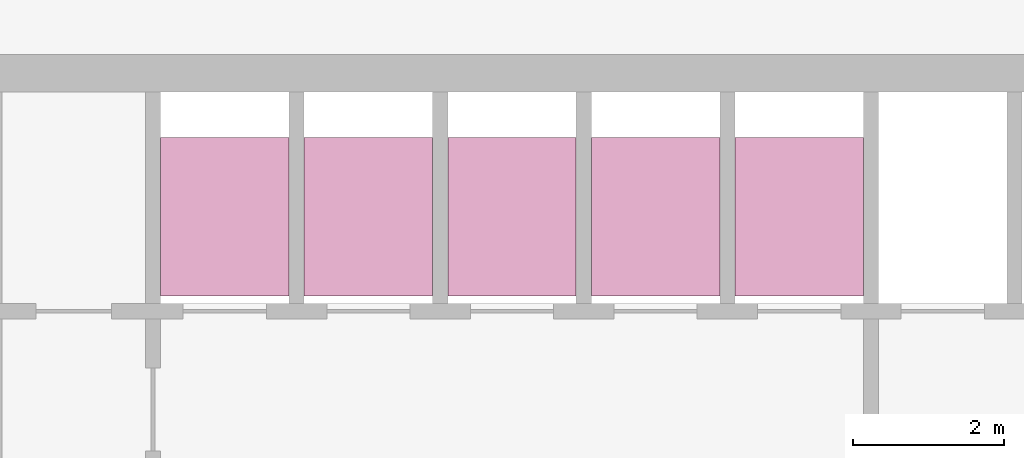
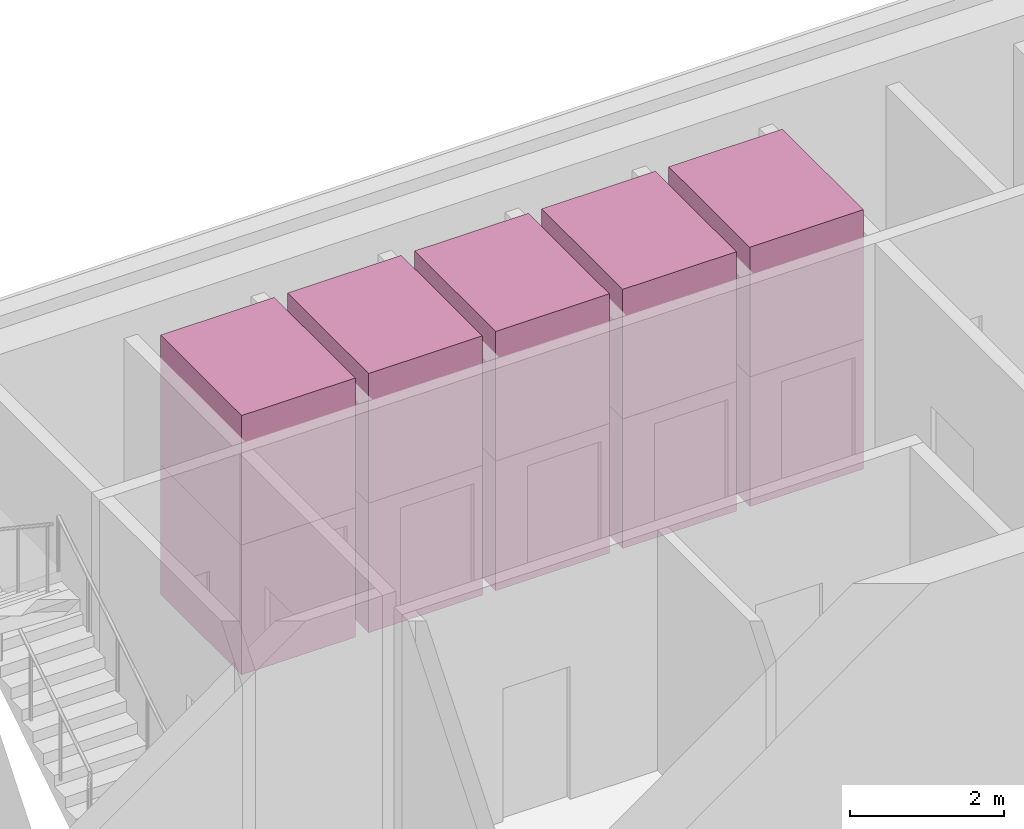
# One storey, part 9 of 9: 10 transport elements.
"""IFC4 building model written with IfcOpenShell, lengths in metres."""

from ifc_helpers import new_model, si_unit, direction, frame, origin, origin_2d, place, context, subcontext, project, spatial, rectangle, extrude, material, type_object, element, save


model = new_model("IFC4")

# Units and contexts
model_context = context("Model", 3, precision=1e-05, world=origin(), true_north=direction((0.0, 1.0)))
body_context = subcontext(model_context, "Body", "Model", "MODEL_VIEW")
ifc_project = project(units=[si_unit("LENGTHUNIT", "METRE"), si_unit("AREAUNIT", "SQUARE_METRE"), si_unit("VOLUMEUNIT", "CUBIC_METRE"), si_unit("PLANEANGLEUNIT", "RADIAN"), si_unit("MASSUNIT", "GRAM", prefix="KILO")], contexts=[model_context])

# Site, building, storey
site_placement = place(None, origin())
site = spatial("IfcSite", under=ifc_project, at=site_placement, CompositionType="ELEMENT")
building_placement = place(site_placement, origin())
building = spatial("IfcBuilding", under=site, at=building_placement, Name="Altiplano Prism Tower", CompositionType="ELEMENT")
storey_placement = place(building_placement, frame((0.0, 0.0, 343.0)))
storey = spatial("IfcBuildingStorey", under=building, at=storey_placement, Name="L89", CompositionType="ELEMENT", Elevation=343.0)

# Transport elements
ifc_material = material(Name="Stainless steel lift car", Category="steel")
transport_element_type = type_object("IfcTransportElementType", Name="Passenger lift car 1600 x 2100", PredefinedType="ELEVATOR", material=ifc_material)
for number, where, z_axis, x_axis, name in (
    (1, (79.050048828125, 101.75, 0.0498046875), (0.0, 0.0, 1.0), (1.0, 0.0, 0.0), "High Zone Passenger Lift 1"),
    (2, (79.050048828125, 101.75, 2.10009765625), (0.0, 0.0, 1.0), (1.0, 0.0, 0.0), "High Zone Passenger Lift 1"),
    (3, (80.949951171875, 101.75, 0.0498046875), (0.0, 0.0, 1.0), (1.0, 0.0, 0.0), "High Zone Passenger Lift 2"),
    (4, (80.949951171875, 101.75, 2.10009765625), (0.0, 0.0, 1.0), (1.0, 0.0, 0.0), "High Zone Passenger Lift 2"),
    (5, (82.85009765625, 101.75, 0.0498046875), (0.0, 0.0, 1.0), (1.0, 0.0, 0.0), "High Zone Passenger Lift 3"),
    (6, (82.85009765625, 101.75, 2.10009765625), (0.0, 0.0, 1.0), (1.0, 0.0, 0.0), "High Zone Passenger Lift 3"),
    (7, (84.75, 101.75, 0.0498046875), (0.0, 0.0, 1.0), (1.0, 0.0, 0.0), "High Zone Passenger Lift 4"),
    (8, (84.75, 101.75, 2.10009765625), (0.0, 0.0, 1.0), (1.0, 0.0, 0.0), "High Zone Passenger Lift 4"),
    (9, (86.64990234375, 101.75, 0.0498046875), (0.0, 0.0, 1.0), (1.0, 0.0, 0.0), "High Zone Passenger Lift 5"),
    (10, (86.64990234375, 101.75, 2.10009765625), (0.0, 0.0, 1.0), (1.0, 0.0, 0.0), "High Zone Passenger Lift 5"),
):
    element("IfcTransportElement", number, at=place(storey_placement, frame(where, z_axis=z_axis, x_axis=x_axis)), inside=storey, type_object=transport_element_type, Name=name, PredefinedType="ELEVATOR", context=body_context, shape_type="SweptSolid", body=[
        extrude(rectangle(XDim=1.699951171875, YDim=2.10009765625, at=origin_2d()), origin(), (0.0, 0.0, 1.0), 2.050048828125),
    ])

save(model, "model.ifc")
